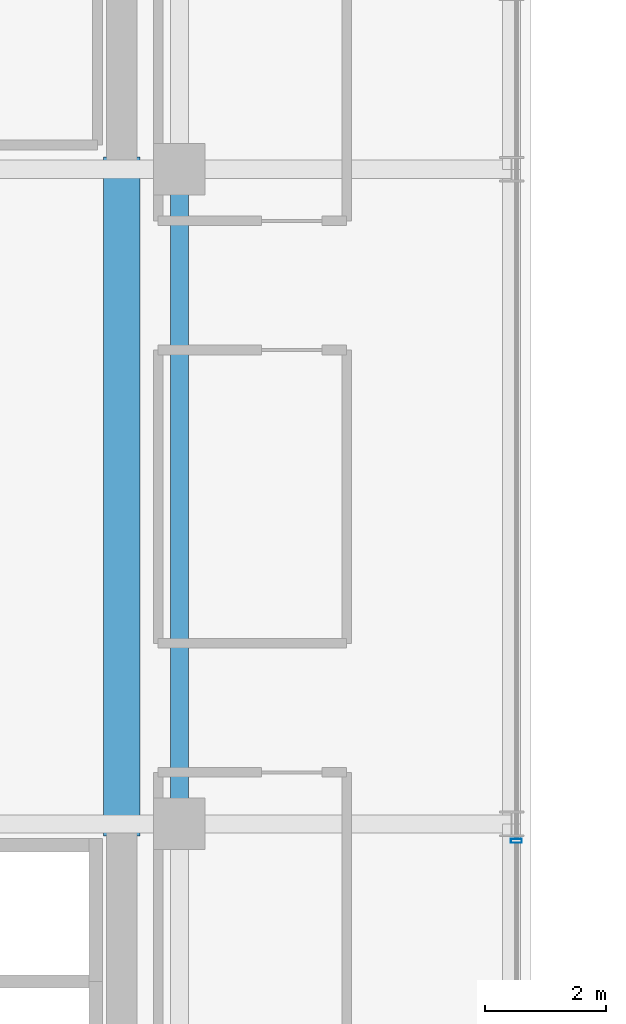
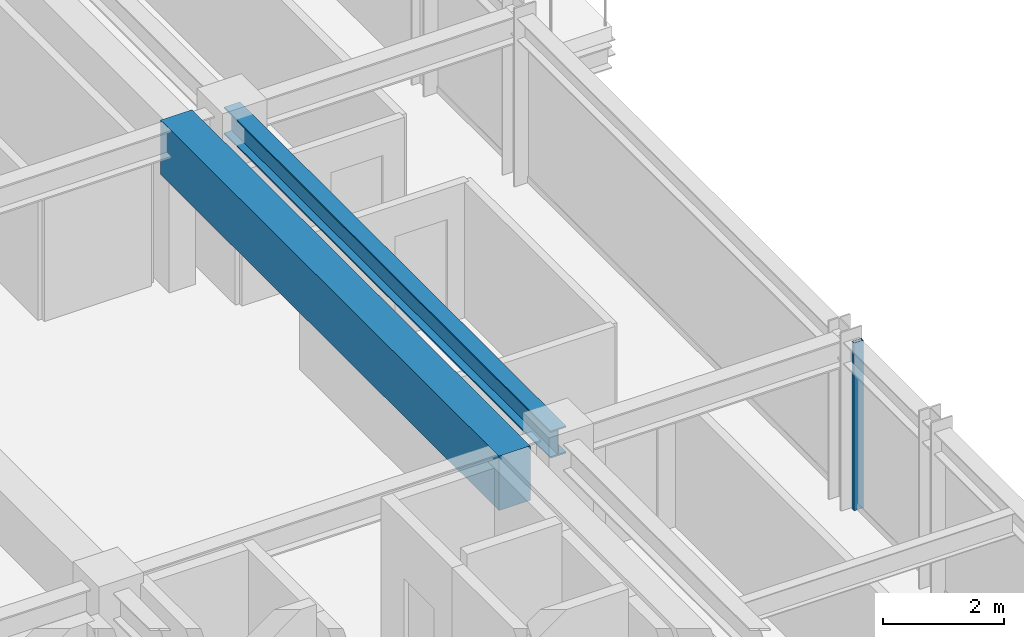
# One storey, part 11 of 31: 2 beams, 1 member, 1 element without a shape of its own.
"""IFC4 building model written with IfcOpenShell, lengths in metres."""

from ifc_helpers import new_model, si_unit, direction, frame, origin, origin_2d, place, context, subcontext, project, spatial, rectangle, hollow_rectangle, i_section, extrude, source, transform, mapped, material, material_profile, profile_set, type_object, element, aggregate, save


model = new_model("IFC4")

# Units and contexts
model_context = context("Model", 3, precision=1e-05, world=origin(), true_north=direction((0.0, 1.0)))
body_context = subcontext(model_context, "Body", "Model", "MODEL_VIEW")
ifc_project = project(units=[si_unit("LENGTHUNIT", "METRE"), si_unit("AREAUNIT", "SQUARE_METRE"), si_unit("VOLUMEUNIT", "CUBIC_METRE"), si_unit("PLANEANGLEUNIT", "RADIAN"), si_unit("MASSUNIT", "GRAM", prefix="KILO")], contexts=[model_context])

# Site, building, storey
site_placement = place(None, origin())
site = spatial("IfcSite", under=ifc_project, at=site_placement, CompositionType="ELEMENT")
building_placement = place(site_placement, origin())
building = spatial("IfcBuilding", under=site, at=building_placement, Name="Nahalor Promenade Grand Hotel", CompositionType="ELEMENT")
storey_placement = place(building_placement, frame((0.0, 0.0, 192.800048828125)))
storey = spatial("IfcBuildingStorey", under=building, at=storey_placement, Name="L49", CompositionType="ELEMENT", Elevation=192.800048828125)

# Beams
ifc_material_1 = material(Name="Concrete B-60 (C50/60)", Category="concrete")
ifc_material_profile_1 = material_profile(ifc_material_1, rectangle(XDim=0.6, YDim=1.1, at=origin_2d()), Name="RC 600x1100")
ifc_profile_set_1 = profile_set([ifc_material_profile_1], Name="Concrete B-60 (C50/60)")
beam_type_1 = type_object("IfcBeamType", Name="Beam-Lintel-RC1100", PredefinedType="LINTEL", material=ifc_profile_set_1)
shared_shape_1 = source(origin(), body_context, "Body", "SweptSolid", [
    extrude(rectangle(XDim=0.6, YDim=1.1, at=origin_2d()), origin(), (0.0, 0.0, 1.0), 11.2001953125),
])
beam_1_placement = place(storey_placement, frame((16.050048828125, -5.60009765625, 2.83984375), z_axis=(0.0, 1.0, 0.0), x_axis=(-1.0, 0.0, 0.0)))
element("IfcBeam", 1, at=beam_1_placement, inside=storey, type_object=beam_type_1, Name="BM-L49-LINT-E", PredefinedType="LINTEL", context=body_context, shape_type="MappedRepresentation", body=[
    mapped(shared_shape_1, transform((0.0, 0.0, 0.0), scale=1.0)),
])
ifc_material_2 = material(Name="Steel S355JR", Category="steel")
ifc_material_profile_2 = material_profile(ifc_material_2, i_section(OverallWidth=0.3, OverallDepth=0.55, WebThickness=0.015, FlangeThickness=0.029, at=origin_2d()), Name="HEB 550")
ifc_profile_set_2 = profile_set([ifc_material_profile_2], Name="Steel S355JR")
beam_type_2 = type_object("IfcBeamType", Name="Beam-Girder-HEB550", PredefinedType="BEAM", material=ifc_profile_set_2)
shared_shape_2 = source(origin(), body_context, "Body", "SweptSolid", [
    extrude(i_section(OverallWidth=0.3, OverallDepth=0.55, WebThickness=0.015, FlangeThickness=0.029, at=origin_2d()), origin(), (0.0, 0.0, 1.0), 10.7998046875),
])
beam_2_placement = place(storey_placement, frame((17.0, -5.39990234375, 3.114990234375), z_axis=(0.0, 1.0, 0.0), x_axis=(-1.0, 0.0, 0.0)))
element("IfcBeam", 2, at=beam_2_placement, inside=storey, type_object=beam_type_2, Name="BM-L49-GY-5-2", PredefinedType="BEAM", context=body_context, shape_type="MappedRepresentation", body=[
    mapped(shared_shape_2, transform((0.0, 0.0, 0.0), scale=1.0)),
])

# Curtain wall, member
ifc_material_3 = material(Name="Anodised Bronze Aluminium EN AW-6063 T6", Category="aluminium")
curtain_wall_type = type_object("IfcCurtainWallType", Name="CW2 Typical Hotel Flush Bronze Unitised Curtain Wall", PredefinedType="USERDEFINED", material=ifc_material_3)
curtain_wall_placement = place(storey_placement, origin())
curtain_wall = element("IfcCurtainWall", 3, at=curtain_wall_placement, inside=storey, type_object=curtain_wall_type, Name="L49 Curtain Wall CW-L49-E-1", ObjectType="UNITISED_CURTAIN_WALL", PredefinedType="USERDEFINED")
ifc_material_profile_3 = material_profile(ifc_material_3, hollow_rectangle(XDim=0.065, YDim=0.18, WallThickness=0.004, at=origin_2d()), Name="CWM 65x180x4")
ifc_profile_set_3 = profile_set([ifc_material_profile_3], Name="Anodised Bronze Aluminium EN AW-6063 T6")
member_type = type_object("IfcMemberType", Name="CWM2 Typical Bronze Mullion 65x180", PredefinedType="MULLION", material=ifc_profile_set_3)
shared_shape_3 = source(origin(), body_context, "Body", "SweptSolid", [
    extrude(hollow_rectangle(XDim=0.065, YDim=0.18, WallThickness=0.004, at=origin_2d()), origin(), (0.0, 0.0, 1.0), 3.389892578125),
])
member_placement = place(storey_placement, frame((22.56005859375, -5.679931640625, 0.0), z_axis=(0.0, 0.0, 1.0), x_axis=(0.0, 1.0, 0.0)))
member = element("IfcMember", 4, at=member_placement, type_object=member_type, Name="CW-L49-E-1 Mullion 1", PredefinedType="MULLION", context=body_context, shape_type="MappedRepresentation", body=[
    mapped(shared_shape_3, transform((0.0, 0.0, 0.0), scale=1.0)),
])
aggregate(curtain_wall, [member])

save(model, "model.ifc")
